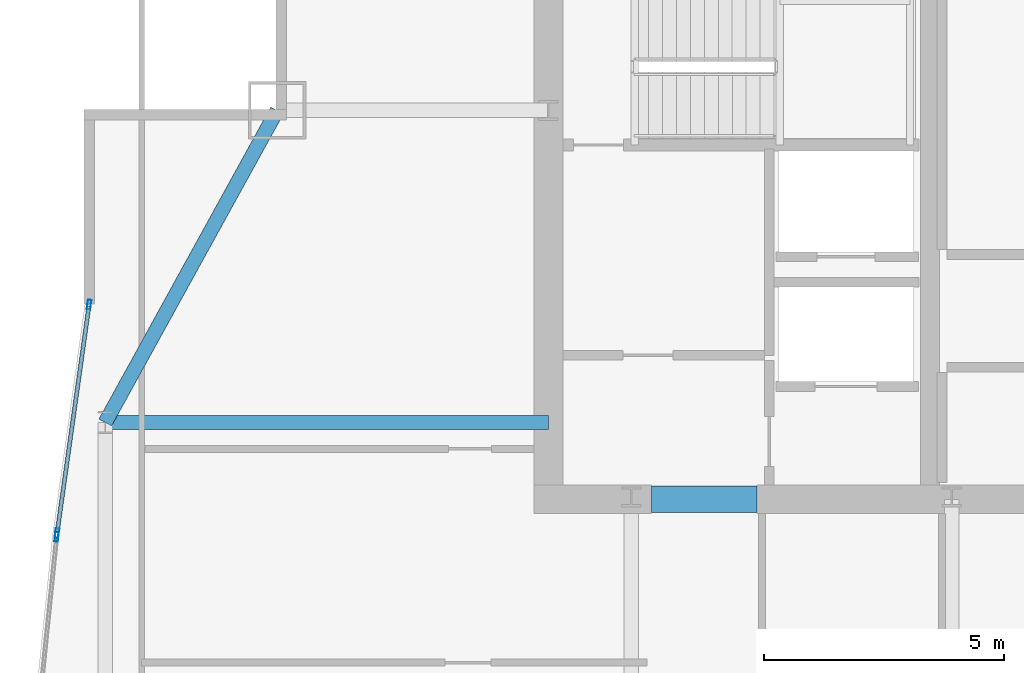
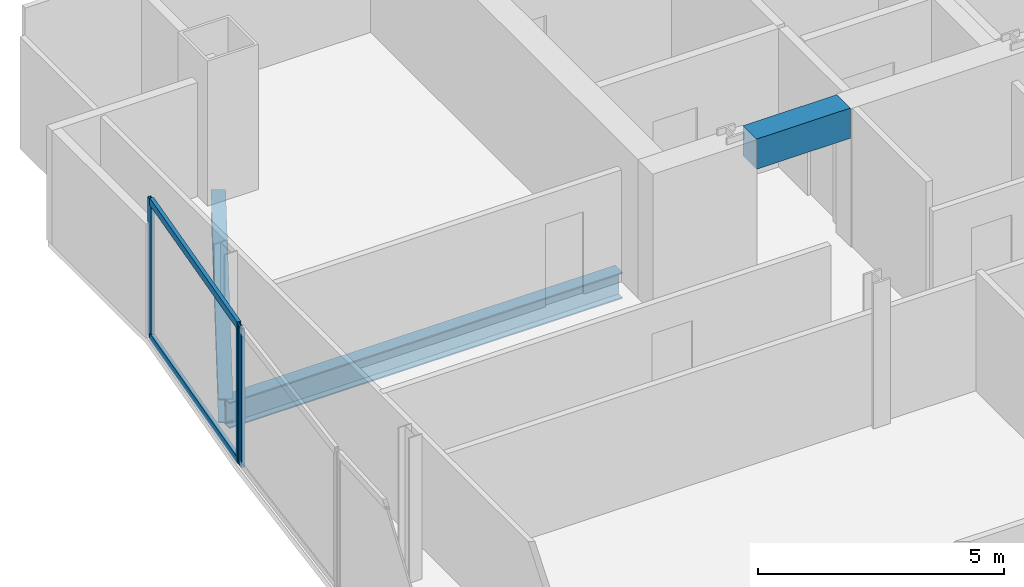
# One storey, part 22 of 32: 5 members, 3 beams, 2 elements without a shape of their own.
"""IFC4 building model written with IfcOpenShell, lengths in metres."""

from ifc_helpers import new_model, si_unit, direction, frame, origin, origin_2d, place, context, subcontext, project, spatial, rectangle, hollow_rectangle, i_section, extrude, material, material_profile, profile_set, type_object, element, aggregate, save


model = new_model("IFC4")

# Units and contexts
model_context = context("Model", 3, precision=1e-05, world=origin(), true_north=direction((0.0, 1.0)))
body_context = subcontext(model_context, "Body", "Model", "MODEL_VIEW")
ifc_project = project(units=[si_unit("LENGTHUNIT", "METRE"), si_unit("AREAUNIT", "SQUARE_METRE"), si_unit("VOLUMEUNIT", "CUBIC_METRE"), si_unit("PLANEANGLEUNIT", "RADIAN"), si_unit("MASSUNIT", "GRAM", prefix="KILO")], contexts=[model_context])

# Site, building, storey
site_placement = place(None, origin())
site = spatial("IfcSite", under=ifc_project, at=site_placement, CompositionType="ELEMENT")
building_placement = place(site_placement, origin())
building = spatial("IfcBuilding", under=site, at=building_placement, Name="Khoronbel Lancet Exchange", CompositionType="ELEMENT")
storey_placement = place(building_placement, frame((0.0, 0.0, 228.199951171875)))
storey = spatial("IfcBuildingStorey", under=building, at=storey_placement, Name="L58", CompositionType="ELEMENT", Elevation=228.199951171875)

# Beams
ifc_material_1 = material(Name="Steel S355", Category="steel")
ifc_material_profile_1 = material_profile(ifc_material_1, i_section(OverallWidth=0.300048828125, OverallDepth=0.64990234375, WebThickness=0.01611328125, FlangeThickness=0.031005859375, at=origin_2d()), Name="HEB 650")
ifc_profile_set_1 = profile_set([ifc_material_profile_1], Name="Steel S355")
beam_type_1 = type_object("IfcBeamType", Name="BM-BG4", PredefinedType="BEAM", material=ifc_profile_set_1)
beam_1_placement = place(storey_placement, frame((7.27001953125, 43.199951171875, -0.48486328125), z_axis=(1.0, 0.0, 0.0), x_axis=(0.0, 1.0, 0.0)))
element("IfcBeam", 1, at=beam_1_placement, inside=storey, type_object=beam_type_1, Name="Level L58 west lens tie girder LG3W", PredefinedType="BEAM", context=body_context, shape_type="SweptSolid", body=[
    extrude(i_section(OverallWidth=0.300048828125, OverallDepth=0.64990234375, WebThickness=0.01611328125, FlangeThickness=0.031005859375, at=origin_2d()), origin(), (0.0, 0.0, 1.0), 9.22998046875),
])
ifc_material_2 = material(Name="Concrete C60/75", Category="concrete")
ifc_material_profile_2 = material_profile(ifc_material_2, rectangle(XDim=0.550048828125, YDim=0.75, at=origin_2d()), Name="RC 550x750")
ifc_profile_set_2 = profile_set([ifc_material_profile_2], Name="Concrete C60/75")
beam_type_2 = type_object("IfcBeamType", Name="BM-BL2", PredefinedType="LINTEL", material=ifc_profile_set_2)
beam_2_placement = place(storey_placement, frame((18.64990234375, 41.60009765625, 3.06494140625), z_axis=(1.0, 0.0, 0.0), x_axis=(0.0, 1.0, 0.0)))
element("IfcBeam", 2, at=beam_2_placement, inside=storey, type_object=beam_type_2, Name="Level L58 rear core coupling lintel L1", PredefinedType="LINTEL", context=body_context, shape_type="SweptSolid", body=[
    extrude(rectangle(XDim=0.550048828125, YDim=0.75, at=origin_2d()), origin(), (0.0, 0.0, 1.0), 2.2001953125),
])
ifc_material_profile_3 = material_profile(ifc_material_1, i_section(OverallWidth=0.300048828125, OverallDepth=0.60009765625, WebThickness=0.015380859375, FlangeThickness=0.030029296875, at=origin_2d()), Name="HEB 600")
ifc_profile_set_3 = profile_set([ifc_material_profile_3], Name="Steel S355")
beam_type_3 = type_object("IfcBeamType", Name="BM-BSP2", PredefinedType="SPANDREL", material=ifc_profile_set_3)
beam_3_placement = place(storey_placement, frame((10.85009765625, 49.699951171875, -0.4599609375), z_axis=(-0.482444051088, -0.875926787791, 0.0), x_axis=(0.875926787791, -0.482444051088, 0.0)))
element("IfcBeam", 3, at=beam_3_placement, inside=storey, type_object=beam_type_3, Name="Level L58 perimeter spandrel beam SP16", PredefinedType="SPANDREL", context=body_context, shape_type="SweptSolid", body=[
    extrude(i_section(OverallWidth=0.300048828125, OverallDepth=0.60009765625, WebThickness=0.015380859375, FlangeThickness=0.030029296875, at=origin_2d()), origin(), (0.0, 0.0, 1.0), 7.420654296875),
])

# Curtain wall, member
ifc_material_3 = material(Name="Low-E Solar Control Insulating Glass", Category="glass")
curtain_wall_type = type_object("IfcCurtainWallType", Name="CW-4", PredefinedType="NOTDEFINED", material=ifc_material_3)
curtain_wall_1_placement = place(storey_placement, origin())
curtain_wall_1 = element("IfcCurtainWall", 4, at=curtain_wall_1_placement, inside=storey, type_object=curtain_wall_type, Name="Unitised curtain wall CW-L58-E08", PredefinedType="NOTDEFINED")
ifc_material_4 = material(Name="Bronze-Anodised Aluminium 6063-T6", Category="aluminium")
ifc_material_profile_4 = material_profile(ifc_material_4, hollow_rectangle(XDim=0.074951171875, YDim=0.199951171875, WallThickness=0.0048828125, at=origin_2d()), Name="ALU MULLION 75x200")
ifc_profile_set_4 = profile_set([ifc_material_profile_4], Name="Bronze-Anodised Aluminium 6063-T6")
member_type_1 = type_object("IfcMemberType", Name="MEM-CWM2", PredefinedType="MULLION", material=ifc_profile_set_4)
member_1_placement = place(storey_placement, frame((6.2578125, 40.818603515625, 0.0), z_axis=(0.0, 0.0, 1.0), x_axis=(-0.994772481584, 0.102116158773, 0.0)))
member_1 = element("IfcMember", 5, at=member_1_placement, type_object=member_type_1, Name="CW4 mullion 2", PredefinedType="MULLION", context=body_context, shape_type="SweptSolid", body=[
    extrude(hollow_rectangle(XDim=0.074951171875, YDim=0.199951171875, WallThickness=0.0048828125, at=origin_2d()), origin(), (0.0, 0.0, 1.0), 3.43994140625),
])
aggregate(curtain_wall_1, [member_1])

# Curtain wall, members
curtain_wall_2_placement = place(storey_placement, origin())
curtain_wall_2 = element("IfcCurtainWall", 6, at=curtain_wall_2_placement, inside=storey, type_object=curtain_wall_type, Name="Unitised curtain wall CW-L58-E09", PredefinedType="NOTDEFINED")
member_2_placement = place(storey_placement, frame((6.266845703125, 40.89306640625, 0.0), z_axis=(0.0, 0.0, 1.0), x_axis=(-0.990313393588, 0.138850215989, 0.0)))
member_2 = element("IfcMember", 7, at=member_2_placement, type_object=member_type_1, Name="CW4 mullion 1", PredefinedType="MULLION", context=body_context, shape_type="SweptSolid", body=[
    extrude(hollow_rectangle(XDim=0.074951171875, YDim=0.199951171875, WallThickness=0.0048828125, at=origin_2d()), origin(), (0.0, 0.0, 1.0), 3.43994140625),
])
member_3_placement = place(storey_placement, frame((6.934814453125, 45.656494140625, 0.0), z_axis=(0.0, 0.0, 1.0), x_axis=(-0.990313393588, 0.138850215989, 0.0)))
member_3 = element("IfcMember", 8, at=member_3_placement, type_object=member_type_1, Name="CW4 mullion 2", PredefinedType="MULLION", context=body_context, shape_type="SweptSolid", body=[
    extrude(hollow_rectangle(XDim=0.074951171875, YDim=0.199951171875, WallThickness=0.0048828125, at=origin_2d()), origin(), (0.0, 0.0, 1.0), 3.43994140625),
])
ifc_material_profile_5 = material_profile(ifc_material_4, hollow_rectangle(XDim=0.0849609375, YDim=0.179931640625, WallThickness=0.0048828125, at=origin_2d()), Name="ALU TRANSOM 85x180")
ifc_profile_set_5 = profile_set([ifc_material_profile_5], Name="Bronze-Anodised Aluminium 6063-T6")
member_type_2 = type_object("IfcMemberType", Name="MEM-CWT1", PredefinedType="USERDEFINED", material=ifc_profile_set_5)
member_4_placement = place(storey_placement, frame((6.272216796875, 40.93017578125, 0.04248046875), z_axis=(0.138851128463, 0.990313265651, 0.0), x_axis=(-0.990313265651, 0.138851128463, 0.0)))
member_4 = element("IfcMember", 9, at=member_4_placement, type_object=member_type_2, Name="CW4 transom 1.1", ObjectType="TRANSOM", PredefinedType="USERDEFINED", context=body_context, shape_type="SweptSolid", body=[
    extrude(hollow_rectangle(XDim=0.0849609375, YDim=0.179931640625, WallThickness=0.0048828125, at=origin_2d()), origin(), (0.0, 0.0, 1.0), 4.735107421875),
])
member_5_placement = place(storey_placement, frame((6.272216796875, 40.93017578125, 3.3974609375), z_axis=(0.138851128463, 0.990313265651, 0.0), x_axis=(-0.990313265651, 0.138851128463, 0.0)))
member_5 = element("IfcMember", 10, at=member_5_placement, type_object=member_type_2, Name="CW4 transom 1.2", ObjectType="TRANSOM", PredefinedType="USERDEFINED", context=body_context, shape_type="SweptSolid", body=[
    extrude(hollow_rectangle(XDim=0.0849609375, YDim=0.179931640625, WallThickness=0.0048828125, at=origin_2d()), origin(), (0.0, 0.0, 1.0), 4.735107421875),
])
aggregate(curtain_wall_2, [member_2, member_3, member_4, member_5])

save(model, "model.ifc")
